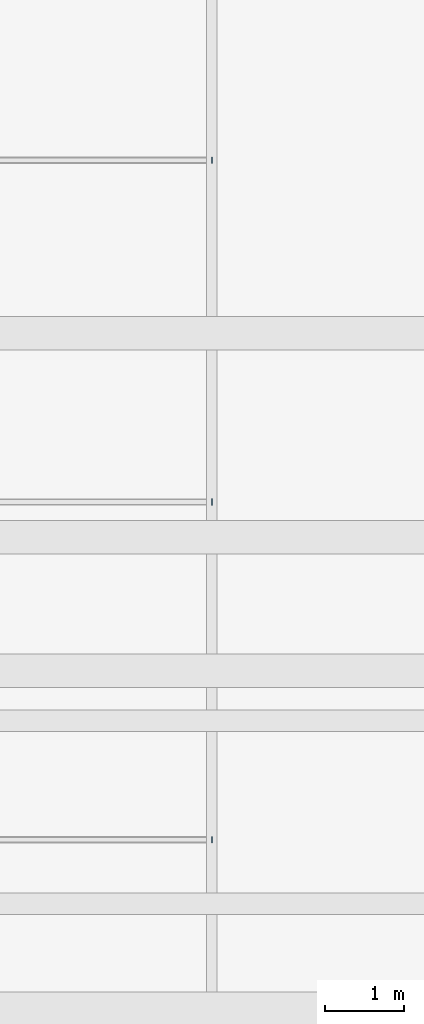
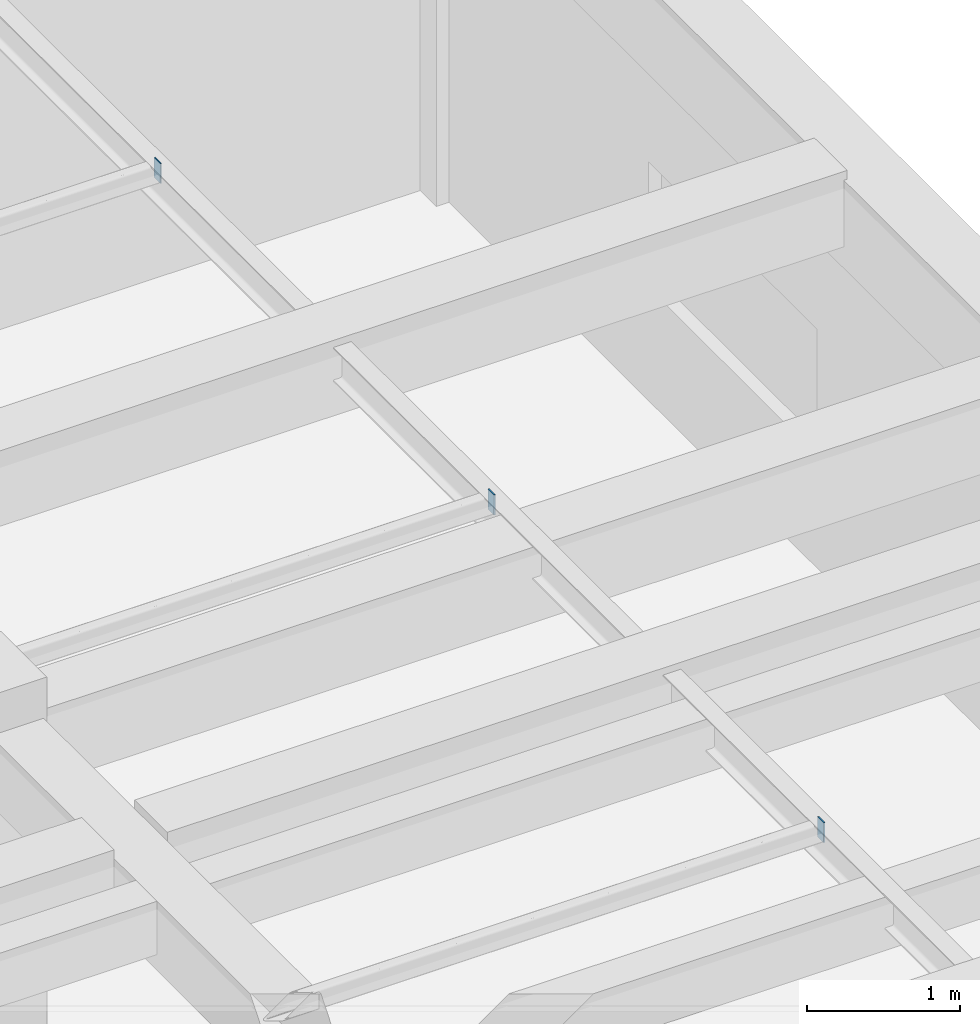
# One storey, part 20 of 33: 3 plates.
"""IFC4 building model written with IfcOpenShell, lengths in metres."""

from ifc_helpers import new_model, si_unit, direction, frame, origin, origin_2d, place, context, subcontext, project, spatial, rectangle, extrude, material, layer, layer_set, type_object, element, save


model = new_model("IFC4")

# Units and contexts
model_context = context("Model", 3, precision=1e-05, world=origin(), true_north=direction((0.0, 1.0)))
body_context = subcontext(model_context, "Body", "Model", "MODEL_VIEW")
ifc_project = project(units=[si_unit("LENGTHUNIT", "METRE"), si_unit("AREAUNIT", "SQUARE_METRE"), si_unit("VOLUMEUNIT", "CUBIC_METRE"), si_unit("PLANEANGLEUNIT", "RADIAN"), si_unit("MASSUNIT", "GRAM", prefix="KILO")], contexts=[model_context])

# Site, building, storey
site_placement = place(None, origin())
site = spatial("IfcSite", under=ifc_project, at=site_placement, CompositionType="ELEMENT")
building_placement = place(site_placement, origin())
building = spatial("IfcBuilding", under=site, at=building_placement, Name="Naurynzar Civic Courthouse", CompositionType="ELEMENT")
storey_placement = place(building_placement, frame((0.0, 0.0, 22.050048828125)))
storey = spatial("IfcBuildingStorey", under=building, at=storey_placement, Name="L06", CompositionType="ELEMENT", Elevation=22.050048828125)

# Plates
ifc_material = material(Name="Steel S355", Category="steel")
ifc_layer = layer(ifc_material, 0.010009765625)
ifc_layer_set = layer_set([ifc_layer], Name="PLT-END-160x80x10")
plate_type = type_object("IfcPlateType", Name="PLT-END-160x80x10", PredefinedType="USERDEFINED", material=ifc_layer_set)
for number, where, z_axis, x_axis, name in (
    (1, (113.0048828125, 13.14990234375, 3.28515625), (0.0, 0.0, 1.0), (1.0, 0.0, 0.0), "Law Library clerestory purlin 1 end plate 2"),
    (2, (113.0048828125, 17.449951171875, 3.28515625), (0.0, 0.0, 1.0), (1.0, 0.0, 0.0), "Law Library clerestory purlin 2 end plate 2"),
    (3, (113.0048828125, 21.800048828125, 3.28515625), (0.0, 0.0, 1.0), (1.0, 0.0, 0.0), "Law Library clerestory purlin 3 end plate 2"),
):
    element("IfcPlate", number, at=place(storey_placement, frame(where, z_axis=z_axis, x_axis=x_axis)), inside=storey, type_object=plate_type, Name=name, ObjectType="END PLATE", PredefinedType="USERDEFINED", context=body_context, shape_type="SweptSolid", body=[
        extrude(rectangle(XDim=0.010009765625, YDim=0.080078125, at=origin_2d()), origin(), (0.0, 0.0, 1.0), 0.159912109375),
    ])

save(model, "model.ifc")
